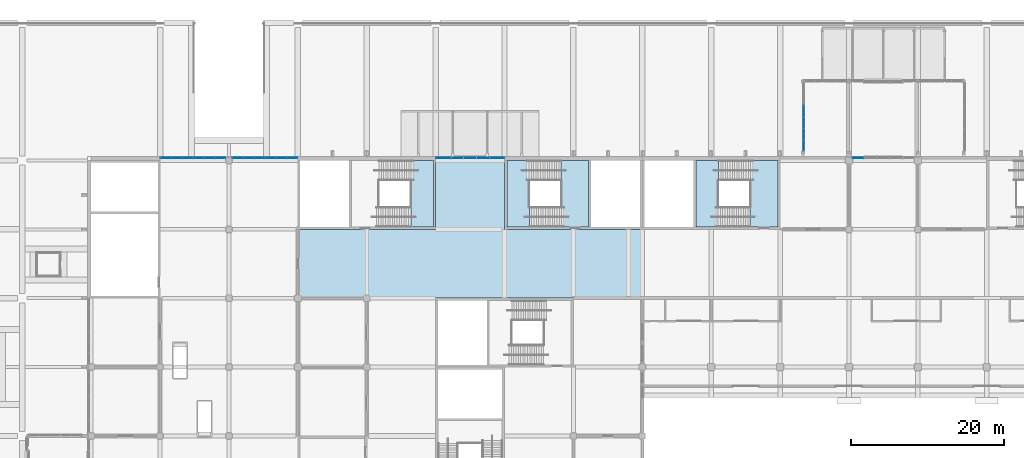
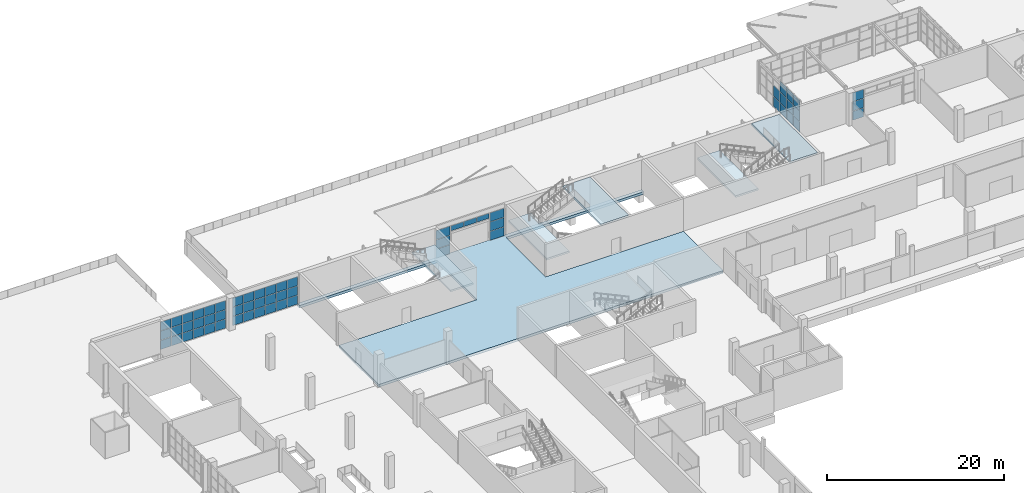
# One storey, part 87 of 168: 59 plates, 6 slabs, 10 elements without a shape of their own.
"""IFC4 building model written with IfcOpenShell, lengths in metres."""

from ifc_helpers import new_model, si_unit, direction, frame, origin, origin_2d, place, context, subcontext, project, spatial, polyline, rectangle, outline, extrude, material, layer, layer_set, type_object, element, aggregate, save


model = new_model("IFC4")

# Units and contexts
model_context = context("Model", 3, precision=1e-05, world=origin(), true_north=direction((0.0, 1.0)))
body_context = subcontext(model_context, "Body", "Model", "MODEL_VIEW")
ifc_project = project(units=[si_unit("LENGTHUNIT", "METRE"), si_unit("AREAUNIT", "SQUARE_METRE"), si_unit("VOLUMEUNIT", "CUBIC_METRE"), si_unit("PLANEANGLEUNIT", "RADIAN"), si_unit("MASSUNIT", "GRAM", prefix="KILO")], contexts=[model_context])

# Site, building, storey
site_placement = place(None, origin())
site = spatial("IfcSite", under=ifc_project, at=site_placement, CompositionType="ELEMENT")
building_placement = place(site_placement, origin())
building = spatial("IfcBuilding", under=site, at=building_placement, Name="Silverbay Arena", CompositionType="ELEMENT")
storey_placement = place(building_placement, frame((0.0, 0.0, 7.0)))
storey = spatial("IfcBuildingStorey", under=building, at=storey_placement, Name="L01", CompositionType="ELEMENT", Elevation=7.0)

# Curtain wall, plates
ifc_material_1 = material(Name="Aluminium framed curtain wall", Category="aluminium")
curtain_wall_type_1 = type_object("IfcCurtainWallType", Name="Curtain wall 8600 x 3900", PredefinedType="NOTDEFINED", material=ifc_material_1)
curtain_wall_1_placement = place(storey_placement, origin())
curtain_wall_1 = element("IfcCurtainWall", 1, at=curtain_wall_1_placement, inside=storey, type_object=curtain_wall_type_1, Name="North curtain wall L01 bay 2", PredefinedType="NOTDEFINED")
ifc_material_2 = material(Name="Laminated glass", Category="glass")
ifc_layer_1 = layer(ifc_material_2, 0.028076171875)
ifc_layer_set_1 = layer_set([ifc_layer_1], Name="Laminated glass")
plate_type = type_object("IfcPlateType", Name="Glass panel 28", PredefinedType="CURTAIN_PANEL", material=ifc_layer_set_1)
plate_1_placement = place(storey_placement, frame((43.868408203125, 144.330078125, 0.050048828125), z_axis=(0.0, 0.0, 1.0), x_axis=(-1.0, 0.0, 0.0)))
plate_1 = element("IfcPlate", 2, at=plate_1_placement, type_object=plate_type, Name="CW1 panel 1.1", PredefinedType="CURTAIN_PANEL", context=body_context, shape_type="SweptSolid", body=[
    extrude(rectangle(XDim=1.34326171875, YDim=0.028076171875, at=origin_2d()), origin(), (0.0, 0.0, 1.0), 1.22509765625),
])
plate_2_placement = place(storey_placement, frame((43.868408203125, 144.330078125, 1.324951171875), z_axis=(0.0, 0.0, 1.0), x_axis=(-1.0, 0.0, 0.0)))
plate_2 = element("IfcPlate", 3, at=plate_2_placement, type_object=plate_type, Name="CW1 panel 1.2", PredefinedType="CURTAIN_PANEL", context=body_context, shape_type="SweptSolid", body=[
    extrude(rectangle(XDim=1.34326171875, YDim=0.028076171875, at=origin_2d()), origin(), (0.0, 0.0, 1.0), 1.25),
])
plate_3_placement = place(storey_placement, frame((43.868408203125, 144.330078125, 2.625), z_axis=(0.0, 0.0, 1.0), x_axis=(-1.0, 0.0, 0.0)))
plate_3 = element("IfcPlate", 4, at=plate_3_placement, type_object=plate_type, Name="CW1 panel 1.3", PredefinedType="CURTAIN_PANEL", context=body_context, shape_type="SweptSolid", body=[
    extrude(rectangle(XDim=1.34326171875, YDim=0.028076171875, at=origin_2d()), origin(), (0.0, 0.0, 1.0), 1.22509765625),
])
plate_4_placement = place(storey_placement, frame((42.449951171875, 144.330078125, 0.050048828125), z_axis=(0.0, 0.0, 1.0), x_axis=(-1.0, 0.0, 0.0)))
plate_4 = element("IfcPlate", 5, at=plate_4_placement, type_object=plate_type, Name="CW1 panel 2.1", PredefinedType="CURTAIN_PANEL", context=body_context, shape_type="SweptSolid", body=[
    extrude(rectangle(XDim=1.373291015625, YDim=0.028076171875, at=origin_2d()), origin(), (0.0, 0.0, 1.0), 1.22509765625),
])
plate_5_placement = place(storey_placement, frame((42.449951171875, 144.330078125, 1.324951171875), z_axis=(0.0, 0.0, 1.0), x_axis=(-1.0, 0.0, 0.0)))
plate_5 = element("IfcPlate", 6, at=plate_5_placement, type_object=plate_type, Name="CW1 panel 2.2", PredefinedType="CURTAIN_PANEL", context=body_context, shape_type="SweptSolid", body=[
    extrude(rectangle(XDim=1.373291015625, YDim=0.028076171875, at=origin_2d()), origin(), (0.0, 0.0, 1.0), 1.25),
])
plate_6_placement = place(storey_placement, frame((42.449951171875, 144.330078125, 2.625), z_axis=(0.0, 0.0, 1.0), x_axis=(-1.0, 0.0, 0.0)))
plate_6 = element("IfcPlate", 7, at=plate_6_placement, type_object=plate_type, Name="CW1 panel 2.3", PredefinedType="CURTAIN_PANEL", context=body_context, shape_type="SweptSolid", body=[
    extrude(rectangle(XDim=1.373291015625, YDim=0.028076171875, at=origin_2d()), origin(), (0.0, 0.0, 1.0), 1.22509765625),
])
plate_7_placement = place(storey_placement, frame((41.0166015625, 144.330078125, 0.050048828125), z_axis=(0.0, 0.0, 1.0), x_axis=(-1.0, 0.0, 0.0)))
plate_7 = element("IfcPlate", 8, at=plate_7_placement, type_object=plate_type, Name="CW1 panel 3.1", PredefinedType="CURTAIN_PANEL", context=body_context, shape_type="SweptSolid", body=[
    extrude(rectangle(XDim=1.373291015625, YDim=0.028076171875, at=origin_2d()), origin(), (0.0, 0.0, 1.0), 1.22509765625),
])
plate_8_placement = place(storey_placement, frame((41.0166015625, 144.330078125, 1.324951171875), z_axis=(0.0, 0.0, 1.0), x_axis=(-1.0, 0.0, 0.0)))
plate_8 = element("IfcPlate", 9, at=plate_8_placement, type_object=plate_type, Name="CW1 panel 3.2", PredefinedType="CURTAIN_PANEL", context=body_context, shape_type="SweptSolid", body=[
    extrude(rectangle(XDim=1.373291015625, YDim=0.028076171875, at=origin_2d()), origin(), (0.0, 0.0, 1.0), 1.25),
])
plate_9_placement = place(storey_placement, frame((41.0166015625, 144.330078125, 2.625), z_axis=(0.0, 0.0, 1.0), x_axis=(-1.0, 0.0, 0.0)))
plate_9 = element("IfcPlate", 10, at=plate_9_placement, type_object=plate_type, Name="CW1 panel 3.3", PredefinedType="CURTAIN_PANEL", context=body_context, shape_type="SweptSolid", body=[
    extrude(rectangle(XDim=1.373291015625, YDim=0.028076171875, at=origin_2d()), origin(), (0.0, 0.0, 1.0), 1.22509765625),
])
plate_10_placement = place(storey_placement, frame((39.583251953125, 144.330078125, 0.050048828125), z_axis=(0.0, 0.0, 1.0), x_axis=(-1.0, 0.0, 0.0)))
plate_10 = element("IfcPlate", 11, at=plate_10_placement, type_object=plate_type, Name="CW1 panel 4.1", PredefinedType="CURTAIN_PANEL", context=body_context, shape_type="SweptSolid", body=[
    extrude(rectangle(XDim=1.373291015625, YDim=0.028076171875, at=origin_2d()), origin(), (0.0, 0.0, 1.0), 1.22509765625),
])
plate_11_placement = place(storey_placement, frame((39.583251953125, 144.330078125, 1.324951171875), z_axis=(0.0, 0.0, 1.0), x_axis=(-1.0, 0.0, 0.0)))
plate_11 = element("IfcPlate", 12, at=plate_11_placement, type_object=plate_type, Name="CW1 panel 4.2", PredefinedType="CURTAIN_PANEL", context=body_context, shape_type="SweptSolid", body=[
    extrude(rectangle(XDim=1.373291015625, YDim=0.028076171875, at=origin_2d()), origin(), (0.0, 0.0, 1.0), 1.25),
])
plate_12_placement = place(storey_placement, frame((39.583251953125, 144.330078125, 2.625), z_axis=(0.0, 0.0, 1.0), x_axis=(-1.0, 0.0, 0.0)))
plate_12 = element("IfcPlate", 13, at=plate_12_placement, type_object=plate_type, Name="CW1 panel 4.3", PredefinedType="CURTAIN_PANEL", context=body_context, shape_type="SweptSolid", body=[
    extrude(rectangle(XDim=1.373291015625, YDim=0.028076171875, at=origin_2d()), origin(), (0.0, 0.0, 1.0), 1.22509765625),
])
plate_13_placement = place(storey_placement, frame((38.14990234375, 144.330078125, 0.050048828125), z_axis=(0.0, 0.0, 1.0), x_axis=(-1.0, 0.0, 0.0)))
plate_13 = element("IfcPlate", 14, at=plate_13_placement, type_object=plate_type, Name="CW1 panel 5.1", PredefinedType="CURTAIN_PANEL", context=body_context, shape_type="SweptSolid", body=[
    extrude(rectangle(XDim=1.373291015625, YDim=0.028076171875, at=origin_2d()), origin(), (0.0, 0.0, 1.0), 1.22509765625),
])
plate_14_placement = place(storey_placement, frame((38.14990234375, 144.330078125, 1.324951171875), z_axis=(0.0, 0.0, 1.0), x_axis=(-1.0, 0.0, 0.0)))
plate_14 = element("IfcPlate", 15, at=plate_14_placement, type_object=plate_type, Name="CW1 panel 5.2", PredefinedType="CURTAIN_PANEL", context=body_context, shape_type="SweptSolid", body=[
    extrude(rectangle(XDim=1.373291015625, YDim=0.028076171875, at=origin_2d()), origin(), (0.0, 0.0, 1.0), 1.25),
])
plate_15_placement = place(storey_placement, frame((38.14990234375, 144.330078125, 2.625), z_axis=(0.0, 0.0, 1.0), x_axis=(-1.0, 0.0, 0.0)))
plate_15 = element("IfcPlate", 16, at=plate_15_placement, type_object=plate_type, Name="CW1 panel 5.3", PredefinedType="CURTAIN_PANEL", context=body_context, shape_type="SweptSolid", body=[
    extrude(rectangle(XDim=1.373291015625, YDim=0.028076171875, at=origin_2d()), origin(), (0.0, 0.0, 1.0), 1.22509765625),
])
plate_16_placement = place(storey_placement, frame((36.731689453125, 144.330078125, 0.050048828125), z_axis=(0.0, 0.0, 1.0), x_axis=(-1.0, 0.0, 0.0)))
plate_16 = element("IfcPlate", 17, at=plate_16_placement, type_object=plate_type, Name="CW1 panel 6.1", PredefinedType="CURTAIN_PANEL", context=body_context, shape_type="SweptSolid", body=[
    extrude(rectangle(XDim=1.34326171875, YDim=0.028076171875, at=origin_2d()), origin(), (0.0, 0.0, 1.0), 1.22509765625),
])
plate_17_placement = place(storey_placement, frame((36.731689453125, 144.330078125, 1.324951171875), z_axis=(0.0, 0.0, 1.0), x_axis=(-1.0, 0.0, 0.0)))
plate_17 = element("IfcPlate", 18, at=plate_17_placement, type_object=plate_type, Name="CW1 panel 6.2", PredefinedType="CURTAIN_PANEL", context=body_context, shape_type="SweptSolid", body=[
    extrude(rectangle(XDim=1.34326171875, YDim=0.028076171875, at=origin_2d()), origin(), (0.0, 0.0, 1.0), 1.25),
])
plate_18_placement = place(storey_placement, frame((36.731689453125, 144.330078125, 2.625), z_axis=(0.0, 0.0, 1.0), x_axis=(-1.0, 0.0, 0.0)))
plate_18 = element("IfcPlate", 19, at=plate_18_placement, type_object=plate_type, Name="CW1 panel 6.3", PredefinedType="CURTAIN_PANEL", context=body_context, shape_type="SweptSolid", body=[
    extrude(rectangle(XDim=1.34326171875, YDim=0.028076171875, at=origin_2d()), origin(), (0.0, 0.0, 1.0), 1.22509765625),
])
aggregate(curtain_wall_1, [plate_1, plate_2, plate_3, plate_4, plate_5, plate_6, plate_7, plate_8, plate_9, plate_10, plate_11, plate_12, plate_13, plate_14, plate_15, plate_16, plate_17, plate_18])

curtain_wall_2_placement = place(storey_placement, origin())
curtain_wall_2 = element("IfcCurtainWall", 20, at=curtain_wall_2_placement, inside=storey, type_object=curtain_wall_type_1, Name="North curtain wall L01 bay 3", PredefinedType="NOTDEFINED")
plate_19_placement = place(storey_placement, frame((53.268310546875, 144.330078125, 0.050048828125), z_axis=(0.0, 0.0, 1.0), x_axis=(-1.0, 0.0, 0.0)))
plate_19 = element("IfcPlate", 21, at=plate_19_placement, type_object=plate_type, Name="CW1 panel 1.1", PredefinedType="CURTAIN_PANEL", context=body_context, shape_type="SweptSolid", body=[
    extrude(rectangle(XDim=1.34326171875, YDim=0.028076171875, at=origin_2d()), origin(), (0.0, 0.0, 1.0), 1.22509765625),
])
plate_20_placement = place(storey_placement, frame((53.268310546875, 144.330078125, 1.324951171875), z_axis=(0.0, 0.0, 1.0), x_axis=(-1.0, 0.0, 0.0)))
plate_20 = element("IfcPlate", 22, at=plate_20_placement, type_object=plate_type, Name="CW1 panel 1.2", PredefinedType="CURTAIN_PANEL", context=body_context, shape_type="SweptSolid", body=[
    extrude(rectangle(XDim=1.34326171875, YDim=0.028076171875, at=origin_2d()), origin(), (0.0, 0.0, 1.0), 1.25),
])
plate_21_placement = place(storey_placement, frame((53.268310546875, 144.330078125, 2.625), z_axis=(0.0, 0.0, 1.0), x_axis=(-1.0, 0.0, 0.0)))
plate_21 = element("IfcPlate", 23, at=plate_21_placement, type_object=plate_type, Name="CW1 panel 1.3", PredefinedType="CURTAIN_PANEL", context=body_context, shape_type="SweptSolid", body=[
    extrude(rectangle(XDim=1.34326171875, YDim=0.028076171875, at=origin_2d()), origin(), (0.0, 0.0, 1.0), 1.22509765625),
])
plate_22_placement = place(storey_placement, frame((51.85009765625, 144.330078125, 0.050048828125), z_axis=(0.0, 0.0, 1.0), x_axis=(-1.0, 0.0, 0.0)))
plate_22 = element("IfcPlate", 24, at=plate_22_placement, type_object=plate_type, Name="CW1 panel 2.1", PredefinedType="CURTAIN_PANEL", context=body_context, shape_type="SweptSolid", body=[
    extrude(rectangle(XDim=1.373291015625, YDim=0.028076171875, at=origin_2d()), origin(), (0.0, 0.0, 1.0), 1.22509765625),
])
plate_23_placement = place(storey_placement, frame((51.85009765625, 144.330078125, 1.324951171875), z_axis=(0.0, 0.0, 1.0), x_axis=(-1.0, 0.0, 0.0)))
plate_23 = element("IfcPlate", 25, at=plate_23_placement, type_object=plate_type, Name="CW1 panel 2.2", PredefinedType="CURTAIN_PANEL", context=body_context, shape_type="SweptSolid", body=[
    extrude(rectangle(XDim=1.373291015625, YDim=0.028076171875, at=origin_2d()), origin(), (0.0, 0.0, 1.0), 1.25),
])
plate_24_placement = place(storey_placement, frame((51.85009765625, 144.330078125, 2.625), z_axis=(0.0, 0.0, 1.0), x_axis=(-1.0, 0.0, 0.0)))
plate_24 = element("IfcPlate", 26, at=plate_24_placement, type_object=plate_type, Name="CW1 panel 2.3", PredefinedType="CURTAIN_PANEL", context=body_context, shape_type="SweptSolid", body=[
    extrude(rectangle(XDim=1.373291015625, YDim=0.028076171875, at=origin_2d()), origin(), (0.0, 0.0, 1.0), 1.22509765625),
])
plate_25_placement = place(storey_placement, frame((50.416748046875, 144.330078125, 0.050048828125), z_axis=(0.0, 0.0, 1.0), x_axis=(-1.0, 0.0, 0.0)))
plate_25 = element("IfcPlate", 27, at=plate_25_placement, type_object=plate_type, Name="CW1 panel 3.1", PredefinedType="CURTAIN_PANEL", context=body_context, shape_type="SweptSolid", body=[
    extrude(rectangle(XDim=1.373291015625, YDim=0.028076171875, at=origin_2d()), origin(), (0.0, 0.0, 1.0), 1.22509765625),
])
plate_26_placement = place(storey_placement, frame((50.416748046875, 144.330078125, 1.324951171875), z_axis=(0.0, 0.0, 1.0), x_axis=(-1.0, 0.0, 0.0)))
plate_26 = element("IfcPlate", 28, at=plate_26_placement, type_object=plate_type, Name="CW1 panel 3.2", PredefinedType="CURTAIN_PANEL", context=body_context, shape_type="SweptSolid", body=[
    extrude(rectangle(XDim=1.373291015625, YDim=0.028076171875, at=origin_2d()), origin(), (0.0, 0.0, 1.0), 1.25),
])
plate_27_placement = place(storey_placement, frame((50.416748046875, 144.330078125, 2.625), z_axis=(0.0, 0.0, 1.0), x_axis=(-1.0, 0.0, 0.0)))
plate_27 = element("IfcPlate", 29, at=plate_27_placement, type_object=plate_type, Name="CW1 panel 3.3", PredefinedType="CURTAIN_PANEL", context=body_context, shape_type="SweptSolid", body=[
    extrude(rectangle(XDim=1.373291015625, YDim=0.028076171875, at=origin_2d()), origin(), (0.0, 0.0, 1.0), 1.22509765625),
])
plate_28_placement = place(storey_placement, frame((48.9833984375, 144.330078125, 0.050048828125), z_axis=(0.0, 0.0, 1.0), x_axis=(-1.0, 0.0, 0.0)))
plate_28 = element("IfcPlate", 30, at=plate_28_placement, type_object=plate_type, Name="CW1 panel 4.1", PredefinedType="CURTAIN_PANEL", context=body_context, shape_type="SweptSolid", body=[
    extrude(rectangle(XDim=1.373291015625, YDim=0.028076171875, at=origin_2d()), origin(), (0.0, 0.0, 1.0), 1.22509765625),
])
plate_29_placement = place(storey_placement, frame((48.9833984375, 144.330078125, 1.324951171875), z_axis=(0.0, 0.0, 1.0), x_axis=(-1.0, 0.0, 0.0)))
plate_29 = element("IfcPlate", 31, at=plate_29_placement, type_object=plate_type, Name="CW1 panel 4.2", PredefinedType="CURTAIN_PANEL", context=body_context, shape_type="SweptSolid", body=[
    extrude(rectangle(XDim=1.373291015625, YDim=0.028076171875, at=origin_2d()), origin(), (0.0, 0.0, 1.0), 1.25),
])
plate_30_placement = place(storey_placement, frame((48.9833984375, 144.330078125, 2.625), z_axis=(0.0, 0.0, 1.0), x_axis=(-1.0, 0.0, 0.0)))
plate_30 = element("IfcPlate", 32, at=plate_30_placement, type_object=plate_type, Name="CW1 panel 4.3", PredefinedType="CURTAIN_PANEL", context=body_context, shape_type="SweptSolid", body=[
    extrude(rectangle(XDim=1.373291015625, YDim=0.028076171875, at=origin_2d()), origin(), (0.0, 0.0, 1.0), 1.22509765625),
])
plate_31_placement = place(storey_placement, frame((47.550048828125, 144.330078125, 0.050048828125), z_axis=(0.0, 0.0, 1.0), x_axis=(-1.0, 0.0, 0.0)))
plate_31 = element("IfcPlate", 33, at=plate_31_placement, type_object=plate_type, Name="CW1 panel 5.1", PredefinedType="CURTAIN_PANEL", context=body_context, shape_type="SweptSolid", body=[
    extrude(rectangle(XDim=1.373291015625, YDim=0.028076171875, at=origin_2d()), origin(), (0.0, 0.0, 1.0), 1.22509765625),
])
plate_32_placement = place(storey_placement, frame((47.550048828125, 144.330078125, 1.324951171875), z_axis=(0.0, 0.0, 1.0), x_axis=(-1.0, 0.0, 0.0)))
plate_32 = element("IfcPlate", 34, at=plate_32_placement, type_object=plate_type, Name="CW1 panel 5.2", PredefinedType="CURTAIN_PANEL", context=body_context, shape_type="SweptSolid", body=[
    extrude(rectangle(XDim=1.373291015625, YDim=0.028076171875, at=origin_2d()), origin(), (0.0, 0.0, 1.0), 1.25),
])
plate_33_placement = place(storey_placement, frame((47.550048828125, 144.330078125, 2.625), z_axis=(0.0, 0.0, 1.0), x_axis=(-1.0, 0.0, 0.0)))
plate_33 = element("IfcPlate", 35, at=plate_33_placement, type_object=plate_type, Name="CW1 panel 5.3", PredefinedType="CURTAIN_PANEL", context=body_context, shape_type="SweptSolid", body=[
    extrude(rectangle(XDim=1.373291015625, YDim=0.028076171875, at=origin_2d()), origin(), (0.0, 0.0, 1.0), 1.22509765625),
])
plate_34_placement = place(storey_placement, frame((46.131591796875, 144.330078125, 0.050048828125), z_axis=(0.0, 0.0, 1.0), x_axis=(-1.0, 0.0, 0.0)))
plate_34 = element("IfcPlate", 36, at=plate_34_placement, type_object=plate_type, Name="CW1 panel 6.1", PredefinedType="CURTAIN_PANEL", context=body_context, shape_type="SweptSolid", body=[
    extrude(rectangle(XDim=1.34326171875, YDim=0.028076171875, at=origin_2d()), origin(), (0.0, 0.0, 1.0), 1.22509765625),
])
plate_35_placement = place(storey_placement, frame((46.131591796875, 144.330078125, 1.324951171875), z_axis=(0.0, 0.0, 1.0), x_axis=(-1.0, 0.0, 0.0)))
plate_35 = element("IfcPlate", 37, at=plate_35_placement, type_object=plate_type, Name="CW1 panel 6.2", PredefinedType="CURTAIN_PANEL", context=body_context, shape_type="SweptSolid", body=[
    extrude(rectangle(XDim=1.34326171875, YDim=0.028076171875, at=origin_2d()), origin(), (0.0, 0.0, 1.0), 1.25),
])
plate_36_placement = place(storey_placement, frame((46.131591796875, 144.330078125, 2.625), z_axis=(0.0, 0.0, 1.0), x_axis=(-1.0, 0.0, 0.0)))
plate_36 = element("IfcPlate", 38, at=plate_36_placement, type_object=plate_type, Name="CW1 panel 6.3", PredefinedType="CURTAIN_PANEL", context=body_context, shape_type="SweptSolid", body=[
    extrude(rectangle(XDim=1.34326171875, YDim=0.028076171875, at=origin_2d()), origin(), (0.0, 0.0, 1.0), 1.22509765625),
])
aggregate(curtain_wall_2, [plate_19, plate_20, plate_21, plate_22, plate_23, plate_24, plate_25, plate_26, plate_27, plate_28, plate_29, plate_30, plate_31, plate_32, plate_33, plate_34, plate_35, plate_36])

ifc_material_3 = material(Name="Aluminium framed curtain wall", Category="aluminium")
curtain_wall_type_2 = type_object("IfcCurtainWallType", Name="Curtain wall 1950 x 3900", PredefinedType="NOTDEFINED", material=ifc_material_3)
curtain_wall_3_placement = place(storey_placement, origin())
curtain_wall_3 = element("IfcCurtainWall", 39, at=curtain_wall_3_placement, inside=storey, type_object=curtain_wall_type_2, Name="North curtain wall L01 bay 6", PredefinedType="NOTDEFINED")
plate_37_placement = place(storey_placement, frame((72.97509765625, 144.330078125, 0.050048828125), z_axis=(0.0, 0.0, 1.0), x_axis=(-1.0, 0.0, 0.0)))
plate_37 = element("IfcPlate", 40, at=plate_37_placement, type_object=plate_type, Name="CW2 panel 1.1", PredefinedType="CURTAIN_PANEL", context=body_context, shape_type="SweptSolid", body=[
    extrude(rectangle(XDim=1.830078125, YDim=0.028076171875, at=origin_2d()), origin(), (0.0, 0.0, 1.0), 1.22509765625),
])
plate_38_placement = place(storey_placement, frame((72.97509765625, 144.330078125, 1.324951171875), z_axis=(0.0, 0.0, 1.0), x_axis=(-1.0, 0.0, 0.0)))
plate_38 = element("IfcPlate", 41, at=plate_38_placement, type_object=plate_type, Name="CW2 panel 1.2", PredefinedType="CURTAIN_PANEL", context=body_context, shape_type="SweptSolid", body=[
    extrude(rectangle(XDim=1.830078125, YDim=0.028076171875, at=origin_2d()), origin(), (0.0, 0.0, 1.0), 1.25),
])
plate_39_placement = place(storey_placement, frame((72.97509765625, 144.330078125, 2.625), z_axis=(0.0, 0.0, 1.0), x_axis=(-1.0, 0.0, 0.0)))
plate_39 = element("IfcPlate", 42, at=plate_39_placement, type_object=plate_type, Name="CW2 panel 1.3", PredefinedType="CURTAIN_PANEL", context=body_context, shape_type="SweptSolid", body=[
    extrude(rectangle(XDim=1.830078125, YDim=0.028076171875, at=origin_2d()), origin(), (0.0, 0.0, 1.0), 1.22509765625),
])
aggregate(curtain_wall_3, [plate_37, plate_38, plate_39])

curtain_wall_4_placement = place(storey_placement, origin())
curtain_wall_4 = element("IfcCurtainWall", 43, at=curtain_wall_4_placement, inside=storey, type_object=curtain_wall_type_2, Name="North curtain wall L01 bay 6", PredefinedType="NOTDEFINED")
plate_40_placement = place(storey_placement, frame((80.02490234375, 144.330078125, 0.050048828125), z_axis=(0.0, 0.0, 1.0), x_axis=(-1.0, 0.0, 0.0)))
plate_40 = element("IfcPlate", 44, at=plate_40_placement, type_object=plate_type, Name="CW2 panel 1.1", PredefinedType="CURTAIN_PANEL", context=body_context, shape_type="SweptSolid", body=[
    extrude(rectangle(XDim=1.830078125, YDim=0.028076171875, at=origin_2d()), origin(), (0.0, 0.0, 1.0), 1.22509765625),
])
plate_41_placement = place(storey_placement, frame((80.02490234375, 144.330078125, 1.324951171875), z_axis=(0.0, 0.0, 1.0), x_axis=(-1.0, 0.0, 0.0)))
plate_41 = element("IfcPlate", 45, at=plate_41_placement, type_object=plate_type, Name="CW2 panel 1.2", PredefinedType="CURTAIN_PANEL", context=body_context, shape_type="SweptSolid", body=[
    extrude(rectangle(XDim=1.830078125, YDim=0.028076171875, at=origin_2d()), origin(), (0.0, 0.0, 1.0), 1.25),
])
plate_42_placement = place(storey_placement, frame((80.02490234375, 144.330078125, 2.625), z_axis=(0.0, 0.0, 1.0), x_axis=(-1.0, 0.0, 0.0)))
plate_42 = element("IfcPlate", 46, at=plate_42_placement, type_object=plate_type, Name="CW2 panel 1.3", PredefinedType="CURTAIN_PANEL", context=body_context, shape_type="SweptSolid", body=[
    extrude(rectangle(XDim=1.830078125, YDim=0.028076171875, at=origin_2d()), origin(), (0.0, 0.0, 1.0), 1.22509765625),
])
aggregate(curtain_wall_4, [plate_40, plate_41, plate_42])

ifc_material_4 = material(Name="Aluminium framed curtain wall", Category="aluminium")
curtain_wall_type_3 = type_object("IfcCurtainWallType", Name="Curtain wall 5100 x 800", PredefinedType="NOTDEFINED", material=ifc_material_4)
curtain_wall_5_placement = place(storey_placement, origin())
curtain_wall_5 = element("IfcCurtainWall", 47, at=curtain_wall_5_placement, inside=storey, type_object=curtain_wall_type_3, Name="North curtain wall L01 bay 6", PredefinedType="NOTDEFINED")
plate_43_placement = place(storey_placement, frame((78.18505859375, 144.330078125, 3.14990234375), z_axis=(0.0, 0.0, 1.0), x_axis=(-1.0, 0.0, 0.0)))
plate_43 = element("IfcPlate", 48, at=plate_43_placement, type_object=plate_type, Name="CW3 panel 1.1", PredefinedType="CURTAIN_PANEL", context=body_context, shape_type="SweptSolid", body=[
    extrude(rectangle(XDim=1.610107421875, YDim=0.028076171875, at=origin_2d()), origin(), (0.0, 0.0, 1.0), 0.699951171875),
])
plate_44_placement = place(storey_placement, frame((76.5, 144.330078125, 3.14990234375), z_axis=(0.0, 0.0, 1.0), x_axis=(-1.0, 0.0, 0.0)))
plate_44 = element("IfcPlate", 49, at=plate_44_placement, type_object=plate_type, Name="CW3 panel 2.1", PredefinedType="CURTAIN_PANEL", context=body_context, shape_type="SweptSolid", body=[
    extrude(rectangle(XDim=1.639892578125, YDim=0.028076171875, at=origin_2d()), origin(), (0.0, 0.0, 1.0), 0.699951171875),
])
plate_45_placement = place(storey_placement, frame((74.81494140625, 144.330078125, 3.14990234375), z_axis=(0.0, 0.0, 1.0), x_axis=(-1.0, 0.0, 0.0)))
plate_45 = element("IfcPlate", 50, at=plate_45_placement, type_object=plate_type, Name="CW3 panel 3.1", PredefinedType="CURTAIN_PANEL", context=body_context, shape_type="SweptSolid", body=[
    extrude(rectangle(XDim=1.610107421875, YDim=0.028076171875, at=origin_2d()), origin(), (0.0, 0.0, 1.0), 0.699951171875),
])
aggregate(curtain_wall_5, [plate_43, plate_44, plate_45])

ifc_material_5 = material(Name="Aluminium framed curtain wall", Category="aluminium")
curtain_wall_type_4 = type_object("IfcCurtainWallType", Name="Curtain wall 1500 x 3900", PredefinedType="NOTDEFINED", material=ifc_material_5)
curtain_wall_6_placement = place(storey_placement, origin())
curtain_wall_6 = element("IfcCurtainWall", 51, at=curtain_wall_6_placement, inside=storey, type_object=curtain_wall_type_4, Name="North curtain wall L01 bay 12", PredefinedType="NOTDEFINED")
plate_46_placement = place(storey_placement, frame((127.199951171875, 144.330078125, 0.050048828125), z_axis=(0.0, 0.0, 1.0), x_axis=(-1.0, 0.0, 0.0)))
plate_46 = element("IfcPlate", 52, at=plate_46_placement, type_object=plate_type, Name="CW4 panel 1.1", PredefinedType="CURTAIN_PANEL", context=body_context, shape_type="SweptSolid", body=[
    extrude(rectangle(XDim=1.3798828125, YDim=0.028076171875, at=origin_2d()), origin(), (0.0, 0.0, 1.0), 1.22509765625),
])
plate_47_placement = place(storey_placement, frame((127.199951171875, 144.330078125, 1.324951171875), z_axis=(0.0, 0.0, 1.0), x_axis=(-1.0, 0.0, 0.0)))
plate_47 = element("IfcPlate", 53, at=plate_47_placement, type_object=plate_type, Name="CW4 panel 1.2", PredefinedType="CURTAIN_PANEL", context=body_context, shape_type="SweptSolid", body=[
    extrude(rectangle(XDim=1.3798828125, YDim=0.028076171875, at=origin_2d()), origin(), (0.0, 0.0, 1.0), 1.25),
])
plate_48_placement = place(storey_placement, frame((127.199951171875, 144.330078125, 2.625), z_axis=(0.0, 0.0, 1.0), x_axis=(-1.0, 0.0, 0.0)))
plate_48 = element("IfcPlate", 54, at=plate_48_placement, type_object=plate_type, Name="CW4 panel 1.3", PredefinedType="CURTAIN_PANEL", context=body_context, shape_type="SweptSolid", body=[
    extrude(rectangle(XDim=1.3798828125, YDim=0.028076171875, at=origin_2d()), origin(), (0.0, 0.0, 1.0), 1.22509765625),
])
aggregate(curtain_wall_6, [plate_46, plate_47, plate_48])

ifc_material_6 = material(Name="Aluminium framed curtain wall", Category="aluminium")
curtain_wall_type_5 = type_object("IfcCurtainWallType", Name="Curtain wall 8950 x 4500", PredefinedType="NOTDEFINED", material=ifc_material_6)
curtain_wall_7_placement = place(storey_placement, origin())
curtain_wall_7 = element("IfcCurtainWall", 55, at=curtain_wall_7_placement, inside=storey, type_object=curtain_wall_type_5, Name="North entrance hall N1 glazing SA", PredefinedType="NOTDEFINED")
plate_49_placement = place(storey_placement, frame((120.110107421875, 150.4208984375, 0.0498046875), z_axis=(0.0, 0.0, 1.0), x_axis=(0.0, -1.0, 0.0)))
plate_49 = element("IfcPlate", 56, at=plate_49_placement, type_object=plate_type, Name="CW46 panel 3.1", PredefinedType="CURTAIN_PANEL", context=body_context, shape_type="SweptSolid", body=[
    extrude(rectangle(XDim=1.431640625, YDim=0.028076171875, at=origin_2d()), origin(), (0.0, 0.0, 1.0), 1.425048828125),
])
plate_50_placement = place(storey_placement, frame((120.110107421875, 150.4208984375, 1.52490234375), z_axis=(0.0, 0.0, 1.0), x_axis=(0.0, -1.0, 0.0)))
plate_50 = element("IfcPlate", 57, at=plate_50_placement, type_object=plate_type, Name="CW46 panel 3.2", PredefinedType="CURTAIN_PANEL", context=body_context, shape_type="SweptSolid", body=[
    extrude(rectangle(XDim=1.431640625, YDim=0.028076171875, at=origin_2d()), origin(), (0.0, 0.0, 1.0), 1.449951171875),
])
plate_51_placement = place(storey_placement, frame((120.110107421875, 148.92919921875, 0.0498046875), z_axis=(0.0, 0.0, 1.0), x_axis=(0.0, -1.0, 0.0)))
plate_51 = element("IfcPlate", 58, at=plate_51_placement, type_object=plate_type, Name="CW46 panel 4.1", PredefinedType="CURTAIN_PANEL", context=body_context, shape_type="SweptSolid", body=[
    extrude(rectangle(XDim=1.431640625, YDim=0.028076171875, at=origin_2d()), origin(), (0.0, 0.0, 1.0), 1.425048828125),
])
plate_52_placement = place(storey_placement, frame((120.110107421875, 148.92919921875, 1.52490234375), z_axis=(0.0, 0.0, 1.0), x_axis=(0.0, -1.0, 0.0)))
plate_52 = element("IfcPlate", 59, at=plate_52_placement, type_object=plate_type, Name="CW46 panel 4.2", PredefinedType="CURTAIN_PANEL", context=body_context, shape_type="SweptSolid", body=[
    extrude(rectangle(XDim=1.431640625, YDim=0.028076171875, at=origin_2d()), origin(), (0.0, 0.0, 1.0), 1.449951171875),
])
plate_53_placement = place(storey_placement, frame((120.110107421875, 148.92919921875, 3.02490234375), z_axis=(0.0, 0.0, 1.0), x_axis=(0.0, -1.0, 0.0)))
plate_53 = element("IfcPlate", 60, at=plate_53_placement, type_object=plate_type, Name="CW46 panel 4.3", PredefinedType="CURTAIN_PANEL", context=body_context, shape_type="SweptSolid", body=[
    extrude(rectangle(XDim=1.431640625, YDim=0.028076171875, at=origin_2d()), origin(), (0.0, 0.0, 1.0), 1.425048828125),
])
plate_54_placement = place(storey_placement, frame((120.110107421875, 147.4375, 0.0498046875), z_axis=(0.0, 0.0, 1.0), x_axis=(0.0, -1.0, 0.0)))
plate_54 = element("IfcPlate", 61, at=plate_54_placement, type_object=plate_type, Name="CW46 panel 5.1", PredefinedType="CURTAIN_PANEL", context=body_context, shape_type="SweptSolid", body=[
    extrude(rectangle(XDim=1.431640625, YDim=0.028076171875, at=origin_2d()), origin(), (0.0, 0.0, 1.0), 1.425048828125),
])
plate_55_placement = place(storey_placement, frame((120.110107421875, 147.4375, 1.52490234375), z_axis=(0.0, 0.0, 1.0), x_axis=(0.0, -1.0, 0.0)))
plate_55 = element("IfcPlate", 62, at=plate_55_placement, type_object=plate_type, Name="CW46 panel 5.2", PredefinedType="CURTAIN_PANEL", context=body_context, shape_type="SweptSolid", body=[
    extrude(rectangle(XDim=1.431640625, YDim=0.028076171875, at=origin_2d()), origin(), (0.0, 0.0, 1.0), 1.449951171875),
])
plate_56_placement = place(storey_placement, frame((120.110107421875, 147.4375, 3.02490234375), z_axis=(0.0, 0.0, 1.0), x_axis=(0.0, -1.0, 0.0)))
plate_56 = element("IfcPlate", 63, at=plate_56_placement, type_object=plate_type, Name="CW46 panel 5.3", PredefinedType="CURTAIN_PANEL", context=body_context, shape_type="SweptSolid", body=[
    extrude(rectangle(XDim=1.431640625, YDim=0.028076171875, at=origin_2d()), origin(), (0.0, 0.0, 1.0), 1.425048828125),
])
plate_57_placement = place(storey_placement, frame((120.110107421875, 145.9609375, 0.0498046875), z_axis=(0.0, 0.0, 1.0), x_axis=(0.0, -1.0, 0.0)))
plate_57 = element("IfcPlate", 64, at=plate_57_placement, type_object=plate_type, Name="CW46 panel 6.1", PredefinedType="CURTAIN_PANEL", context=body_context, shape_type="SweptSolid", body=[
    extrude(rectangle(XDim=1.401611328125, YDim=0.028076171875, at=origin_2d()), origin(), (0.0, 0.0, 1.0), 1.425048828125),
])
plate_58_placement = place(storey_placement, frame((120.110107421875, 145.9609375, 1.52490234375), z_axis=(0.0, 0.0, 1.0), x_axis=(0.0, -1.0, 0.0)))
plate_58 = element("IfcPlate", 65, at=plate_58_placement, type_object=plate_type, Name="CW46 panel 6.2", PredefinedType="CURTAIN_PANEL", context=body_context, shape_type="SweptSolid", body=[
    extrude(rectangle(XDim=1.401611328125, YDim=0.028076171875, at=origin_2d()), origin(), (0.0, 0.0, 1.0), 1.449951171875),
])
plate_59_placement = place(storey_placement, frame((120.110107421875, 145.9609375, 3.02490234375), z_axis=(0.0, 0.0, 1.0), x_axis=(0.0, -1.0, 0.0)))
plate_59 = element("IfcPlate", 66, at=plate_59_placement, type_object=plate_type, Name="CW46 panel 6.3", PredefinedType="CURTAIN_PANEL", context=body_context, shape_type="SweptSolid", body=[
    extrude(rectangle(XDim=1.401611328125, YDim=0.028076171875, at=origin_2d()), origin(), (0.0, 0.0, 1.0), 1.425048828125),
])
aggregate(curtain_wall_7, [plate_49, plate_50, plate_51, plate_52, plate_53, plate_54, plate_55, plate_56, plate_57, plate_58, plate_59])

# Slab
ifc_material_7 = material(Name="Concrete Grade C45", Category="concrete")
ifc_layer_2 = layer(ifc_material_7, 0.35009765625)
ifc_layer_set_2 = layer_set([ifc_layer_2], Name="Concrete Grade C45")
slab_type_1 = type_object("IfcSlabType", Name="RC floor slab 350", PredefinedType="FLOOR", material=ifc_layer_set_2)
slab_1_placement = place(storey_placement, frame((0.0, 0.0, -0.35009765625)))
element("IfcSlab", 67, at=slab_1_placement, inside=storey, type_object=slab_type_1, Name="Floor slab L01 unit 21", PredefinedType="FLOOR", context=body_context, shape_type="SweptSolid", body=[
    extrude(outline(polyline([(54.0, 126.02490234375), (54.0, 135.0), (72.0, 135.0), (72.0, 144.0), (54.0, 144.0), (54.0, 144.5), (99.0, 144.5), (99.0, 144.0), (81.0, 144.0), (81.0, 135.0), (99.0, 135.0), (99.0, 126.02490234375), (54.0, 126.02490234375)])), origin(), (0.0, 0.0, 1.0), 0.35009765625),
])

# Stair, slabs
ifc_material_8 = material(Name="Concrete Grade C45", Category="concrete")
stair_type = type_object("IfcStairType", Name="Stair 2600 wide 32 risers 140.6 x 300", PredefinedType="HALF_TURN_STAIR", material=ifc_material_8)
stair_1_placement = place(storey_placement, origin())
stair_1 = element("IfcStair", 68, at=stair_1_placement, inside=storey, type_object=stair_type, Name="Stair ST-N1 L01 to L02", PredefinedType="HALF_TURN_STAIR")
ifc_material_9 = material(Name="Concrete Grade C45", Category="concrete")
ifc_layer_3 = layer(ifc_material_9, 0.25)
ifc_layer_set_3 = layer_set([ifc_layer_3], Name="Concrete Grade C45")
slab_type_2 = type_object("IfcSlabType", Name="Stair landing RC 250", PredefinedType="LANDING", material=ifc_layer_set_3)
slab_2_placement = place(storey_placement, frame((0.0, 0.0, 2.0)))
slab_2 = element("IfcSlab", 69, at=slab_2_placement, type_object=slab_type_2, Name="Stair ST-N1 L01 to L02 landing 1", PredefinedType="LANDING", context=body_context, shape_type="SweptSolid", body=[
    extrude(outline(polyline([(84.25341796875, 135.300048828125), (81.300048828125, 135.300048828125), (81.300048828125, 144.0), (84.25341796875, 144.0), (84.25341796875, 135.300048828125)])), origin(), (0.0, 0.0, 1.0), 0.25),
])
slab_3_placement = place(storey_placement, frame((0.0, 0.0, 4.25)))
slab_3 = element("IfcSlab", 70, at=slab_3_placement, type_object=slab_type_2, Name="Stair ST-N1 L01 to L02 landing 2", PredefinedType="LANDING", context=body_context, shape_type="SweptSolid", body=[
    extrude(outline(polyline([(92.0, 135.300048828125), (88.39990234375, 135.300048828125), (88.39990234375, 144.0), (92.0, 144.0), (92.0, 135.300048828125)])), origin(), (0.0, 0.0, 1.0), 0.25),
])
aggregate(stair_1, [slab_2, slab_3])

stair_2_placement = place(storey_placement, origin())
stair_2 = element("IfcStair", 71, at=stair_2_placement, inside=storey, type_object=stair_type, Name="Stair ST-N2 L01 to L02", PredefinedType="HALF_TURN_STAIR")
slab_4_placement = place(storey_placement, frame((0.0, 0.0, 2.0)))
slab_4 = element("IfcSlab", 72, at=slab_4_placement, type_object=slab_type_2, Name="Stair ST-N2 L01 to L02 landing 1", PredefinedType="LANDING", context=body_context, shape_type="SweptSolid", body=[
    extrude(outline(polyline([(108.953369140625, 135.300048828125), (106.0, 135.300048828125), (106.0, 144.0), (108.953369140625, 144.0), (108.953369140625, 135.300048828125)])), origin(), (0.0, 0.0, 1.0), 0.25),
])
slab_5_placement = place(storey_placement, frame((0.0, 0.0, 4.25)))
slab_5 = element("IfcSlab", 73, at=slab_5_placement, type_object=slab_type_2, Name="Stair ST-N2 L01 to L02 landing 2", PredefinedType="LANDING", context=body_context, shape_type="SweptSolid", body=[
    extrude(outline(polyline([(116.699951171875, 135.300048828125), (113.10009765625, 135.300048828125), (113.10009765625, 144.0), (116.699951171875, 144.0), (116.699951171875, 135.300048828125)])), origin(), (0.0, 0.0, 1.0), 0.25),
])
aggregate(stair_2, [slab_4, slab_5])

# Stair, slab
stair_3_placement = place(storey_placement, origin())
stair_3 = element("IfcStair", 74, at=stair_3_placement, inside=storey, type_object=stair_type, Name="Stair ST-N5 L01 to L02", PredefinedType="HALF_TURN_STAIR")
slab_6_placement = place(storey_placement, frame((0.0, 0.0, 2.0)))
slab_6 = element("IfcSlab", 75, at=slab_6_placement, type_object=slab_type_2, Name="Stair ST-N5 L01 to L02 landing 1", PredefinedType="LANDING", context=body_context, shape_type="SweptSolid", body=[
    extrude(outline(polyline([(68.74658203125, 135.300048828125), (71.699951171875, 135.300048828125), (71.699951171875, 144.0), (68.74658203125, 144.0), (68.74658203125, 135.300048828125)])), origin(), (0.0, 0.0, 1.0), 0.25),
])
aggregate(stair_3, [slab_6])

save(model, "model.ifc")
